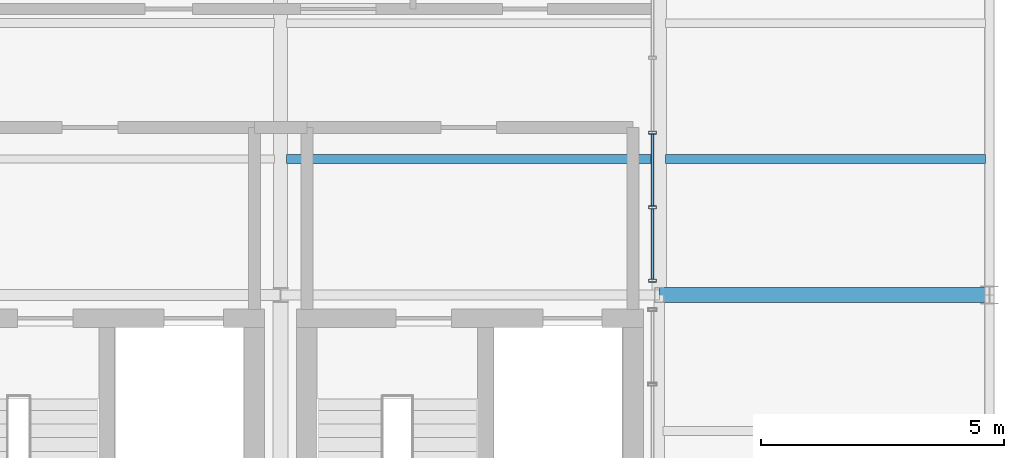
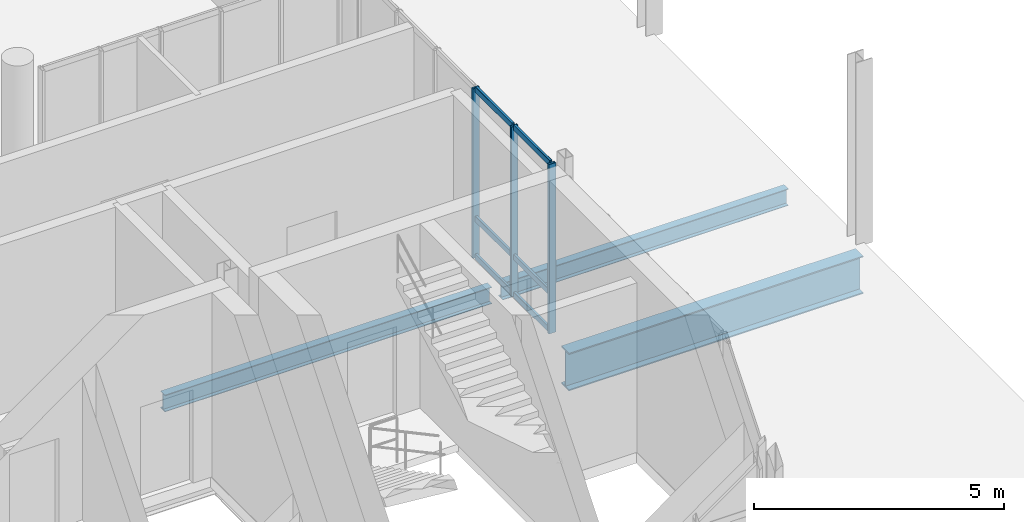
# One storey, part 43 of 66: 9 members, 3 beams, 1 element without a shape of its own.
"""IFC4 building model written with IfcOpenShell, lengths in metres."""

from ifc_helpers import new_model, si_unit, direction, frame, origin_with_axes, origin_2d_with_axis, place, context, subcontext, project, spatial, hollow_rectangle, i_section, extrude, material, material_profile, profile_set, type_object, element, aggregate, save


model = new_model("IFC4")

# Units and contexts
model_context = context("Model", 3, precision=1e-05, world=origin_with_axes(), true_north=direction((0.0, 1.0)))
body_context = subcontext(model_context, "Body", "Model", "MODEL_VIEW")
ifc_project = project(units=[si_unit("LENGTHUNIT", "METRE"), si_unit("AREAUNIT", "SQUARE_METRE"), si_unit("VOLUMEUNIT", "CUBIC_METRE"), si_unit("PLANEANGLEUNIT", "RADIAN"), si_unit("MASSUNIT", "GRAM", prefix="KILO"), si_unit("THERMODYNAMICTEMPERATUREUNIT", "KELVIN")], contexts=[model_context])

# Site, building, storey
site_placement = place(None, origin_with_axes())
site = spatial("IfcSite", under=ifc_project, at=site_placement, CompositionType="ELEMENT")
building_placement = place(site_placement, origin_with_axes())
building = spatial("IfcBuilding", under=site, at=building_placement, Name="Montbau Bow Law Courts", CompositionType="ELEMENT")
storey_placement = place(building_placement, frame((0.0, 0.0, 34.5), z_axis=(0.0, 0.0, 1.0), x_axis=(1.0, 0.0, 0.0)))
storey = spatial("IfcBuildingStorey", under=building, at=storey_placement, Name="L07", CompositionType="ELEMENT", Elevation=34.5)

# Beams
ifc_material_1 = material(Name="Steel CSA G40.21 Grade 350W (350 MPa)", Category="steel")
ifc_material_profile_1 = material_profile(ifc_material_1, i_section(OverallWidth=0.306, OverallDepth=0.919, WebThickness=0.0173, FlangeThickness=0.0279, at=origin_2d_with_axis()), Name="W920X253", Category="Main", Priority=0)
ifc_profile_set_1 = profile_set([ifc_material_profile_1], Name="Steel CSA G40.21 Grade 350W (350 MPa)")
beam_type_1 = type_object("IfcBeamType", Name="B-FLR-01", PredefinedType="BEAM", material=ifc_profile_set_1)
beam_1_placement = place(None, frame((162.6, 94.8, 33.751), z_axis=(1.0, 0.0, 0.0), x_axis=(0.0, 1.0, 0.0)))
element("IfcBeam", 1, at=beam_1_placement, inside=storey, type_object=beam_type_1, Name="BM-L07-S1349:bm2_1352", PredefinedType="BEAM", context=body_context, shape_type="SweptSolid", body=[
    extrude(i_section(OverallWidth=0.306, OverallDepth=0.919, WebThickness=0.0173, FlangeThickness=0.0279, at=origin_2d_with_axis()), origin_with_axes(), (0.0, 0.0, 1.0), 6.8),
])
ifc_material_profile_2 = material_profile(ifc_material_1, i_section(OverallWidth=0.179, OverallDepth=0.41, WebThickness=0.0088, FlangeThickness=0.0144, at=origin_2d_with_axis()), Name="W410X67", Category="Main", Priority=0)
ifc_profile_set_2 = profile_set([ifc_material_profile_2], Name="Steel CSA G40.21 Grade 350W (350 MPa)")
beam_type_2 = type_object("IfcBeamType", Name="B-JST-02", PredefinedType="JOIST", material=ifc_profile_set_2)
beam_2_placement = place(None, frame((154.923, 97.6, 33.935), z_axis=(1.0, 0.0, 0.0), x_axis=(0.0, 1.0, 0.0)))
element("IfcBeam", 2, at=beam_2_placement, inside=storey, type_object=beam_type_2, Name="JST-L07-S0753:jst2_0753", PredefinedType="JOIST", context=body_context, shape_type="SweptSolid", body=[
    extrude(i_section(OverallWidth=0.179, OverallDepth=0.41, WebThickness=0.0088, FlangeThickness=0.0144, at=origin_2d_with_axis()), origin_with_axes(), (0.0, 0.0, 1.0), 7.548),
])
beam_3_placement = place(None, frame((162.729, 97.6, 33.935), z_axis=(1.0, 0.0, 0.0), x_axis=(0.0, 1.0, 0.0)))
element("IfcBeam", 3, at=beam_3_placement, inside=storey, type_object=beam_type_2, Name="JST-L07-S0761:jst2_0761", PredefinedType="JOIST", context=body_context, shape_type="SweptSolid", body=[
    extrude(i_section(OverallWidth=0.179, OverallDepth=0.41, WebThickness=0.0088, FlangeThickness=0.0144, at=origin_2d_with_axis()), origin_with_axes(), (0.0, 0.0, 1.0), 6.591),
])

# Curtain wall, members
ifc_material_2 = material(Name="Thermally Broken Extruded Aluminium AA 6063-T6", Category="aluminium")
curtain_wall_type = type_object("IfcCurtainWallType", Name="CW-NCK-03", PredefinedType="NOTDEFINED", material=ifc_material_2)
curtain_wall_placement = place(None, frame((162.46, 95.067, 34.5), z_axis=(0.0, 0.0, 1.0), x_axis=(1.0, 0.0, 0.0)))
curtain_wall = element("IfcCurtainWall", 4, at=curtain_wall_placement, inside=storey, type_object=curtain_wall_type, Name="CW-L07-371:cw_0371", PredefinedType="NOTDEFINED")
ifc_material_profile_3 = material_profile(ifc_material_2, hollow_rectangle(XDim=0.06, YDim=0.16, WallThickness=0.004, InnerFilletRadius=0.008, OuterFilletRadius=0.004, at=origin_2d_with_axis()), Name="CWM-160X60", Category="Main", Priority=0)
ifc_profile_set_3 = profile_set([ifc_material_profile_3], Name="Thermally Broken Extruded Aluminium AA 6063-T6")
member_type_1 = type_object("IfcMemberType", Name="M-MUL-03", PredefinedType="MULLION", material=ifc_profile_set_3)
member_1_placement = place(None, frame((162.46, 95.097, 34.5), z_axis=(0.0, 0.0, 1.0), x_axis=(0.0, 1.0, 0.0)))
member_1 = element("IfcMember", 5, at=member_1_placement, type_object=member_type_1, Name="CW-L07-371-M01:cw_0371_M01", PredefinedType="MULLION", context=body_context, shape_type="SweptSolid", body=[
    extrude(hollow_rectangle(XDim=0.06, YDim=0.16, WallThickness=0.004, InnerFilletRadius=0.008, OuterFilletRadius=0.004, at=origin_2d_with_axis()), origin_with_axes(), (0.0, 0.0, 1.0), 4.14),
])
member_2_placement = place(None, frame((162.46, 96.606, 34.5), z_axis=(0.0, 0.0, 1.0), x_axis=(0.0, 1.0, 0.0)))
member_2 = element("IfcMember", 6, at=member_2_placement, type_object=member_type_1, Name="CW-L07-371-M02:cw_0371_M02", PredefinedType="MULLION", context=body_context, shape_type="SweptSolid", body=[
    extrude(hollow_rectangle(XDim=0.06, YDim=0.16, WallThickness=0.004, InnerFilletRadius=0.008, OuterFilletRadius=0.004, at=origin_2d_with_axis()), origin_with_axes(), (0.0, 0.0, 1.0), 4.14),
])
member_3_placement = place(None, frame((162.46, 98.144, 34.5), z_axis=(0.0, 0.0, 1.0), x_axis=(0.0, 1.0, 0.0)))
member_3 = element("IfcMember", 7, at=member_3_placement, type_object=member_type_1, Name="CW-L07-371-M03:cw_0371_M03", PredefinedType="MULLION", context=body_context, shape_type="SweptSolid", body=[
    extrude(hollow_rectangle(XDim=0.06, YDim=0.16, WallThickness=0.004, InnerFilletRadius=0.008, OuterFilletRadius=0.004, at=origin_2d_with_axis()), origin_with_axes(), (0.0, 0.0, 1.0), 4.14),
])
ifc_material_profile_4 = material_profile(ifc_material_2, hollow_rectangle(XDim=0.055, YDim=0.14, WallThickness=0.004, InnerFilletRadius=0.008, OuterFilletRadius=0.004, at=origin_2d_with_axis()), Name="CWT-140X55", Category="Main", Priority=0)
ifc_profile_set_4 = profile_set([ifc_material_profile_4], Name="Thermally Broken Extruded Aluminium AA 6063-T6")
member_type_2 = type_object("IfcMemberType", Name="M-TRN-02", PredefinedType="USERDEFINED", material=ifc_profile_set_4)
member_4_placement = place(None, frame((162.46, 95.129, 34.528), z_axis=(0.0, 1.0, 0.0), x_axis=(-1.0, 0.0, 0.0)))
member_4 = element("IfcMember", 8, at=member_4_placement, type_object=member_type_2, Name="CW-L07-371-T01-1:cw_0371_T01_1", ObjectType="TRANSOM", PredefinedType="USERDEFINED", context=body_context, shape_type="SweptSolid", body=[
    extrude(hollow_rectangle(XDim=0.055, YDim=0.14, WallThickness=0.004, InnerFilletRadius=0.008, OuterFilletRadius=0.004, at=origin_2d_with_axis()), origin_with_axes(), (0.0, 0.0, 1.0), 1.445),
])
member_5_placement = place(None, frame((162.46, 95.129, 35.45), z_axis=(0.0, 1.0, 0.0), x_axis=(-1.0, 0.0, 0.0)))
member_5 = element("IfcMember", 9, at=member_5_placement, type_object=member_type_2, Name="CW-L07-371-T01-2:cw_0371_T01_2", ObjectType="TRANSOM", PredefinedType="USERDEFINED", context=body_context, shape_type="SweptSolid", body=[
    extrude(hollow_rectangle(XDim=0.055, YDim=0.14, WallThickness=0.004, InnerFilletRadius=0.008, OuterFilletRadius=0.004, at=origin_2d_with_axis()), origin_with_axes(), (0.0, 0.0, 1.0), 1.445),
])
member_6_placement = place(None, frame((162.46, 95.129, 38.612), z_axis=(0.0, 1.0, 0.0), x_axis=(-1.0, 0.0, 0.0)))
member_6 = element("IfcMember", 10, at=member_6_placement, type_object=member_type_2, Name="CW-L07-371-T01-3:cw_0371_T01_3", ObjectType="TRANSOM", PredefinedType="USERDEFINED", context=body_context, shape_type="SweptSolid", body=[
    extrude(hollow_rectangle(XDim=0.055, YDim=0.14, WallThickness=0.004, InnerFilletRadius=0.008, OuterFilletRadius=0.004, at=origin_2d_with_axis()), origin_with_axes(), (0.0, 0.0, 1.0), 1.445),
])
member_7_placement = place(None, frame((162.46, 96.638, 34.528), z_axis=(0.0, 1.0, 0.0), x_axis=(-1.0, 0.0, 0.0)))
member_7 = element("IfcMember", 11, at=member_7_placement, type_object=member_type_2, Name="CW-L07-371-T02-1:cw_0371_T02_1", ObjectType="TRANSOM", PredefinedType="USERDEFINED", context=body_context, shape_type="SweptSolid", body=[
    extrude(hollow_rectangle(XDim=0.055, YDim=0.14, WallThickness=0.004, InnerFilletRadius=0.008, OuterFilletRadius=0.004, at=origin_2d_with_axis()), origin_with_axes(), (0.0, 0.0, 1.0), 1.474),
])
member_8_placement = place(None, frame((162.46, 96.638, 35.45), z_axis=(0.0, 1.0, 0.0), x_axis=(-1.0, 0.0, 0.0)))
member_8 = element("IfcMember", 12, at=member_8_placement, type_object=member_type_2, Name="CW-L07-371-T02-2:cw_0371_T02_2", ObjectType="TRANSOM", PredefinedType="USERDEFINED", context=body_context, shape_type="SweptSolid", body=[
    extrude(hollow_rectangle(XDim=0.055, YDim=0.14, WallThickness=0.004, InnerFilletRadius=0.008, OuterFilletRadius=0.004, at=origin_2d_with_axis()), origin_with_axes(), (0.0, 0.0, 1.0), 1.474),
])
member_9_placement = place(None, frame((162.46, 96.638, 38.612), z_axis=(0.0, 1.0, 0.0), x_axis=(-1.0, 0.0, 0.0)))
member_9 = element("IfcMember", 13, at=member_9_placement, type_object=member_type_2, Name="CW-L07-371-T02-3:cw_0371_T02_3", ObjectType="TRANSOM", PredefinedType="USERDEFINED", context=body_context, shape_type="SweptSolid", body=[
    extrude(hollow_rectangle(XDim=0.055, YDim=0.14, WallThickness=0.004, InnerFilletRadius=0.008, OuterFilletRadius=0.004, at=origin_2d_with_axis()), origin_with_axes(), (0.0, 0.0, 1.0), 1.474),
])
aggregate(curtain_wall, [member_1, member_2, member_3, member_4, member_5, member_6, member_7, member_8, member_9])

save(model, "model.ifc")
